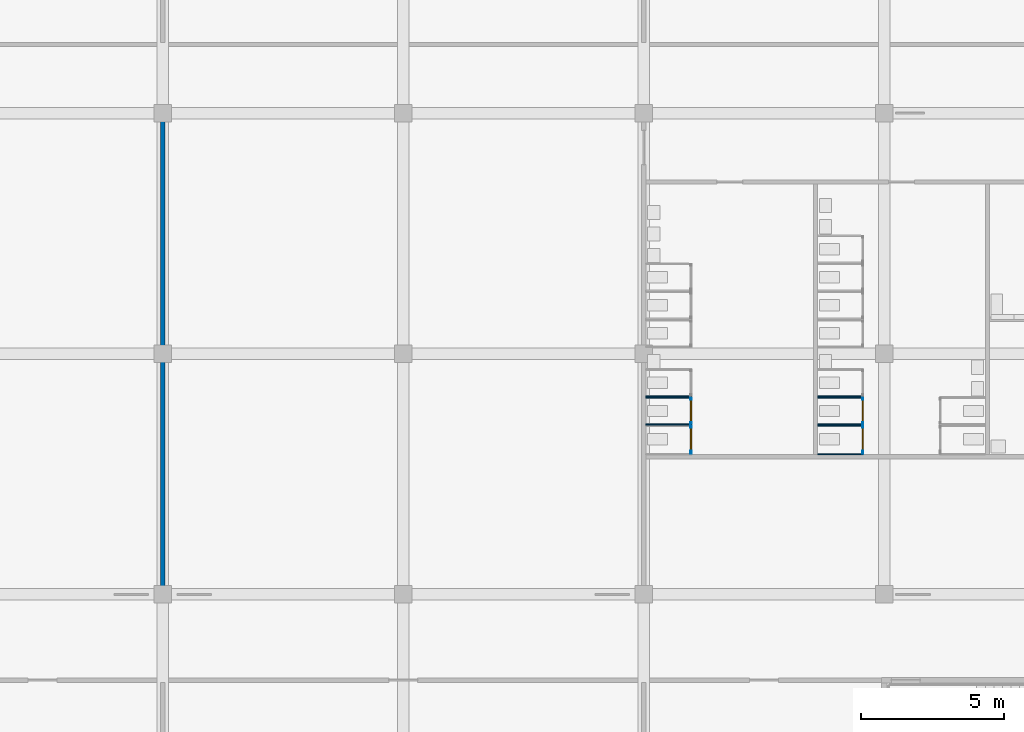
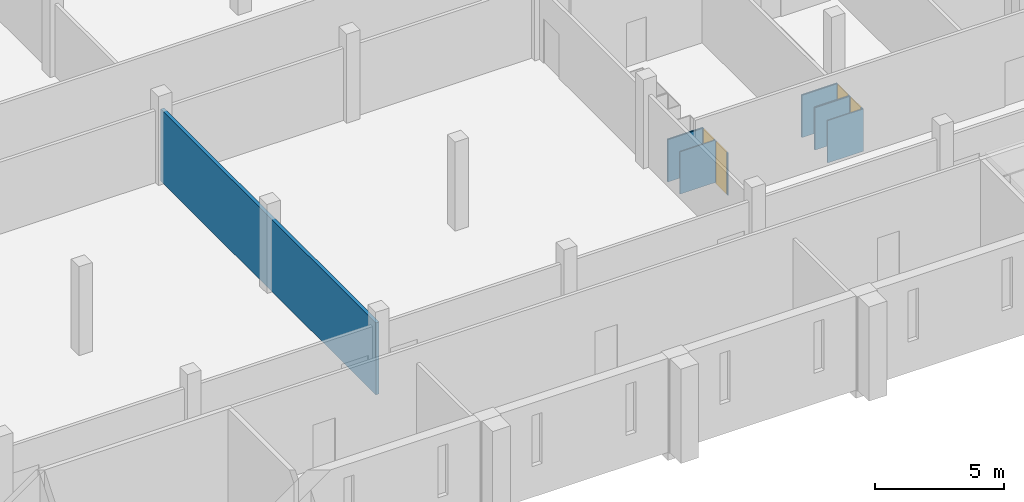
# One storey, part 25 of 56: 13 walls, 4 doors, 4 openings.
"""IFC4 building model written with IfcOpenShell, lengths in metres."""

from ifc_helpers import new_model, si_unit, direction, frame, frame_2d, origin, place, context, subcontext, project, spatial, rectangle, extrude, material, layer, layer_set, type_object, element, fill, save


model = new_model("IFC4")

# Units and contexts
model_context = context("Model", 3, precision=1e-05, world=origin(), true_north=direction((0.0, 1.0)))
body_context = subcontext(model_context, "Body", "Model", "MODEL_VIEW")
ifc_project = project(units=[si_unit("LENGTHUNIT", "METRE"), si_unit("AREAUNIT", "SQUARE_METRE"), si_unit("VOLUMEUNIT", "CUBIC_METRE"), si_unit("PLANEANGLEUNIT", "RADIAN"), si_unit("MASSUNIT", "GRAM", prefix="KILO")], contexts=[model_context])

# Site, building, storey
site_placement = place(None, origin())
site = spatial("IfcSite", under=ifc_project, at=site_placement, CompositionType="ELEMENT")
building_placement = place(site_placement, origin())
building = spatial("IfcBuilding", under=site, at=building_placement, Name="Rulbaag Community and Learning Centre", CompositionType="ELEMENT")
storey_placement = place(building_placement, frame((0.0, 0.0, 9.89990234375)))
storey = spatial("IfcBuildingStorey", under=building, at=storey_placement, Name="L02", CompositionType="ELEMENT", Elevation=9.89990234375)

# Wall, opening, door
ifc_material_1 = material(Name="High pressure laminate", Category="wood")
ifc_layer_1 = layer(ifc_material_1, 0.0400390625)
ifc_layer_set_1 = layer_set([ifc_layer_1], Name="CP-40")
wall_type_1 = type_object("IfcWallType", Name="CP-40", PredefinedType="PARTITIONING", material=ifc_layer_set_1)
wall_1_placement = place(storey_placement, frame((152.85009765625, 13.31494140625, 0.0), z_axis=(0.0, 0.0, 1.0), x_axis=(0.0, 1.0, 0.0)))
wall_1 = element("IfcWall", 1, at=wall_1_placement, inside=storey, type_object=wall_type_1, Name="Cubicle partition", PredefinedType="PARTITIONING", context=body_context, shape_type="SweptSolid", body=[
    extrude(rectangle(XDim=0.955078125, YDim=0.0400390625, at=frame_2d((0.4775390625, 0.0))), origin(), (0.0, 0.0, 1.0), 2.0),
])
opening_1_placement = place(wall_1_placement, frame((0.10498046875, 0.0, 0.0)))
opening_1 = element("IfcOpeningElement", 2, at=opening_1_placement, cuts=wall_1, Name="Opening L02-D097", PredefinedType="OPENING", context=body_context, shape_type="SweptSolid", body=[
    extrude(rectangle(XDim=0.800048828125, YDim=2.0, at=frame_2d((0.39990234375, 1.0))), frame((0.0, 0.030029296875, 0.0), z_axis=(0.0, -1.0, 0.0), x_axis=(1.0, 0.0, 0.0)), (0.0, 0.0, 1.0), 0.06005859375),
])
door_type = type_object("IfcDoorType", Name="DC-80", OperationType="SINGLE_SWING_LEFT", PredefinedType="DOOR", material=ifc_material_1)
door_1_placement = place(opening_1_placement, origin())
door_1 = element("IfcDoor", 3, at=door_1_placement, inside=storey, type_object=door_type, Name="Cubicle door", OperationType="SINGLE_SWING_LEFT", OverallHeight=2.0, OverallWidth=0.800048828125, PredefinedType="DOOR", context=body_context, shape_type="SweptSolid", body=[
    extrude(rectangle(XDim=0.800048828125, YDim=2.0, at=frame_2d((0.39990234375, 1.0))), frame((0.0, 0.019775390625, 0.0), z_axis=(0.0, -1.0, 0.0), x_axis=(1.0, 0.0, 0.0)), (0.0, 0.0, 1.0), 0.03955078125),
])
fill(opening_1, door_1)

# Walls
for number, where, z_axis, x_axis, name in (
    (4, (151.27490234375, 14.330078125, 0.0), (0.0, 0.0, 1.0), (1.0, 0.0, 0.0), "Cubicle partition"),
    (5, (151.27490234375, 15.27001953125, 0.0), (0.0, 0.0, 1.0), (1.0, 0.0, 0.0), "Cubicle partition"),
):
    element("IfcWall", number, at=place(storey_placement, frame(where, z_axis=z_axis, x_axis=x_axis)), inside=storey, type_object=wall_type_1, Name=name, PredefinedType="PARTITIONING", context=body_context, shape_type="SweptSolid", body=[
        extrude(rectangle(XDim=1.59521484375, YDim=0.0400390625, at=frame_2d((0.797607421875, 0.0))), origin(), (0.0, 0.0, 1.0), 2.0),
    ])

# Wall, opening, door
wall_2_placement = place(storey_placement, frame((152.85009765625, 14.35009765625, 0.0), z_axis=(0.0, 0.0, 1.0), x_axis=(0.0, 1.0, 0.0)))
wall_2 = element("IfcWall", 6, at=wall_2_placement, inside=storey, type_object=wall_type_1, Name="Cubicle partition", PredefinedType="PARTITIONING", context=body_context, shape_type="SweptSolid", body=[
    extrude(rectangle(XDim=0.89990234375, YDim=0.0400390625, at=frame_2d((0.449951171875, 0.0))), origin(), (0.0, 0.0, 1.0), 2.0),
])
opening_2_placement = place(wall_2_placement, frame((0.050048828125, 0.0, 0.0)))
opening_2 = element("IfcOpeningElement", 7, at=opening_2_placement, cuts=wall_2, Name="Opening L02-D098", PredefinedType="OPENING", context=body_context, shape_type="SweptSolid", body=[
    extrude(rectangle(XDim=0.800048828125, YDim=2.0, at=frame_2d((0.39990234375, 1.0))), frame((0.0, 0.030029296875, 0.0), z_axis=(0.0, -1.0, 0.0), x_axis=(1.0, 0.0, 0.0)), (0.0, 0.0, 1.0), 0.06005859375),
])
door_2_placement = place(opening_2_placement, origin())
door_2 = element("IfcDoor", 8, at=door_2_placement, inside=storey, type_object=door_type, Name="Cubicle door", OperationType="SINGLE_SWING_LEFT", OverallHeight=2.0, OverallWidth=0.800048828125, PredefinedType="DOOR", context=body_context, shape_type="SweptSolid", body=[
    extrude(rectangle(XDim=0.800048828125, YDim=2.0, at=frame_2d((0.39990234375, 1.0))), frame((0.0, 0.019775390625, 0.0), z_axis=(0.0, -1.0, 0.0), x_axis=(1.0, 0.0, 0.0)), (0.0, 0.0, 1.0), 0.03955078125),
])
fill(opening_2, door_2)

# Walls
for number, where, z_axis, x_axis, name in (
    (9, (151.27490234375, 15.31005859375, 0.0), (0.0, 0.0, 1.0), (1.0, 0.0, 0.0), "Cubicle partition"),
    (10, (157.27490234375, 13.294921875, 0.0), (0.0, 0.0, 1.0), (1.0, 0.0, 0.0), "Cubicle partition"),
    (11, (157.27490234375, 14.2900390625, 0.0), (0.0, 0.0, 1.0), (1.0, 0.0, 0.0), "Cubicle partition"),
):
    element("IfcWall", number, at=place(storey_placement, frame(where, z_axis=z_axis, x_axis=x_axis)), inside=storey, type_object=wall_type_1, Name=name, PredefinedType="PARTITIONING", context=body_context, shape_type="SweptSolid", body=[
        extrude(rectangle(XDim=1.59521484375, YDim=0.0400390625, at=frame_2d((0.797607421875, 0.0))), origin(), (0.0, 0.0, 1.0), 2.0),
    ])

# Wall, opening, door
wall_3_placement = place(storey_placement, frame((158.85009765625, 13.31494140625, 0.0), z_axis=(0.0, 0.0, 1.0), x_axis=(0.0, 1.0, 0.0)))
wall_3 = element("IfcWall", 12, at=wall_3_placement, inside=storey, type_object=wall_type_1, Name="Cubicle partition", PredefinedType="PARTITIONING", context=body_context, shape_type="SweptSolid", body=[
    extrude(rectangle(XDim=0.955078125, YDim=0.0400390625, at=frame_2d((0.4775390625, 0.0))), origin(), (0.0, 0.0, 1.0), 2.0),
])
opening_3_placement = place(wall_3_placement, frame((0.10498046875, 0.0, 0.0)))
opening_3 = element("IfcOpeningElement", 13, at=opening_3_placement, cuts=wall_3, Name="Opening L02-D111", PredefinedType="OPENING", context=body_context, shape_type="SweptSolid", body=[
    extrude(rectangle(XDim=0.800048828125, YDim=2.0, at=frame_2d((0.39990234375, 1.0))), frame((0.0, 0.030029296875, 0.0), z_axis=(0.0, -1.0, 0.0), x_axis=(1.0, 0.0, 0.0)), (0.0, 0.0, 1.0), 0.06005859375),
])
door_3_placement = place(opening_3_placement, origin())
door_3 = element("IfcDoor", 14, at=door_3_placement, inside=storey, type_object=door_type, Name="Cubicle door", OperationType="SINGLE_SWING_LEFT", OverallHeight=2.0, OverallWidth=0.800048828125, PredefinedType="DOOR", context=body_context, shape_type="SweptSolid", body=[
    extrude(rectangle(XDim=0.800048828125, YDim=2.0, at=frame_2d((0.39990234375, 1.0))), frame((0.0, 0.019775390625, 0.0), z_axis=(0.0, -1.0, 0.0), x_axis=(1.0, 0.0, 0.0)), (0.0, 0.0, 1.0), 0.03955078125),
])
fill(opening_3, door_3)

# Walls
for number, where, z_axis, x_axis, name in (
    (15, (157.27490234375, 14.330078125, 0.0), (0.0, 0.0, 1.0), (1.0, 0.0, 0.0), "Cubicle partition"),
    (16, (157.27490234375, 15.27001953125, 0.0), (0.0, 0.0, 1.0), (1.0, 0.0, 0.0), "Cubicle partition"),
):
    element("IfcWall", number, at=place(storey_placement, frame(where, z_axis=z_axis, x_axis=x_axis)), inside=storey, type_object=wall_type_1, Name=name, PredefinedType="PARTITIONING", context=body_context, shape_type="SweptSolid", body=[
        extrude(rectangle(XDim=1.59521484375, YDim=0.0400390625, at=frame_2d((0.797607421875, 0.0))), origin(), (0.0, 0.0, 1.0), 2.0),
    ])

# Wall, opening, door
wall_4_placement = place(storey_placement, frame((158.85009765625, 14.35009765625, 0.0), z_axis=(0.0, 0.0, 1.0), x_axis=(0.0, 1.0, 0.0)))
wall_4 = element("IfcWall", 17, at=wall_4_placement, inside=storey, type_object=wall_type_1, Name="Cubicle partition", PredefinedType="PARTITIONING", context=body_context, shape_type="SweptSolid", body=[
    extrude(rectangle(XDim=0.89990234375, YDim=0.0400390625, at=frame_2d((0.449951171875, 0.0))), origin(), (0.0, 0.0, 1.0), 2.0),
])
opening_4_placement = place(wall_4_placement, frame((0.050048828125, 0.0, 0.0)))
opening_4 = element("IfcOpeningElement", 18, at=opening_4_placement, cuts=wall_4, Name="Opening L02-D112", PredefinedType="OPENING", context=body_context, shape_type="SweptSolid", body=[
    extrude(rectangle(XDim=0.800048828125, YDim=2.0, at=frame_2d((0.39990234375, 1.0))), frame((0.0, 0.030029296875, 0.0), z_axis=(0.0, -1.0, 0.0), x_axis=(1.0, 0.0, 0.0)), (0.0, 0.0, 1.0), 0.06005859375),
])
door_4_placement = place(opening_4_placement, origin())
door_4 = element("IfcDoor", 19, at=door_4_placement, inside=storey, type_object=door_type, Name="Cubicle door", OperationType="SINGLE_SWING_LEFT", OverallHeight=2.0, OverallWidth=0.800048828125, PredefinedType="DOOR", context=body_context, shape_type="SweptSolid", body=[
    extrude(rectangle(XDim=0.800048828125, YDim=2.0, at=frame_2d((0.39990234375, 1.0))), frame((0.0, 0.019775390625, 0.0), z_axis=(0.0, -1.0, 0.0), x_axis=(1.0, 0.0, 0.0)), (0.0, 0.0, 1.0), 0.03955078125),
])
fill(opening_4, door_4)

# Walls
wall_5_placement = place(storey_placement, frame((157.27490234375, 15.31005859375, 0.0), z_axis=(0.0, 0.0, 1.0), x_axis=(1.0, 0.0, 0.0)))
element("IfcWall", 20, at=wall_5_placement, inside=storey, type_object=wall_type_1, Name="Cubicle partition", PredefinedType="PARTITIONING", context=body_context, shape_type="SweptSolid", body=[
    extrude(rectangle(XDim=1.59521484375, YDim=0.0400390625, at=frame_2d((0.797607421875, 0.0))), origin(), (0.0, 0.0, 1.0), 2.0),
])
ifc_material_2 = material(Name="Concrete blockwork", Category="masonry")
ifc_layer_2 = layer(ifc_material_2, 0.14990234375)
ifc_layer_set_2 = layer_set([ifc_layer_2], Name="IP-150 PARTITION 150")
wall_type_2 = type_object("IfcWallType", Name="IP-150 PARTITION 150", PredefinedType="PARTITIONING", material=ifc_layer_set_2)
wall_6_placement = place(storey_placement, frame((134.39990234375, 8.47509765625, 0.0), z_axis=(0.0, 0.0, 1.0), x_axis=(0.0, 1.0, 0.0)))
element("IfcWall", 21, at=wall_6_placement, inside=storey, type_object=wall_type_2, Name="Partition L02 69", PredefinedType="PARTITIONING", context=body_context, shape_type="SweptSolid", body=[
    extrude(rectangle(XDim=16.64990234375, YDim=0.14990234375, at=frame_2d((8.324951171875, 0.0))), origin(), (0.0, 0.0, 1.0), 3.400146484375),
])

save(model, "model.ifc")
